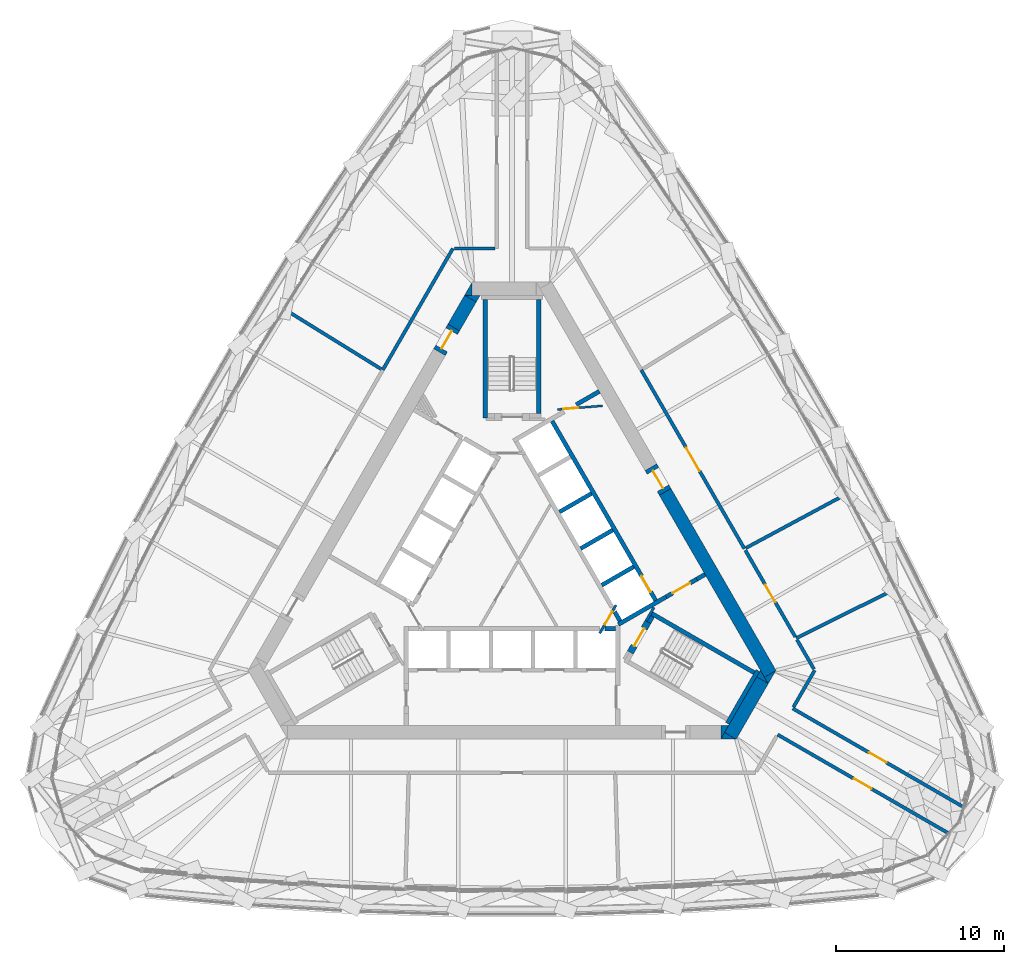
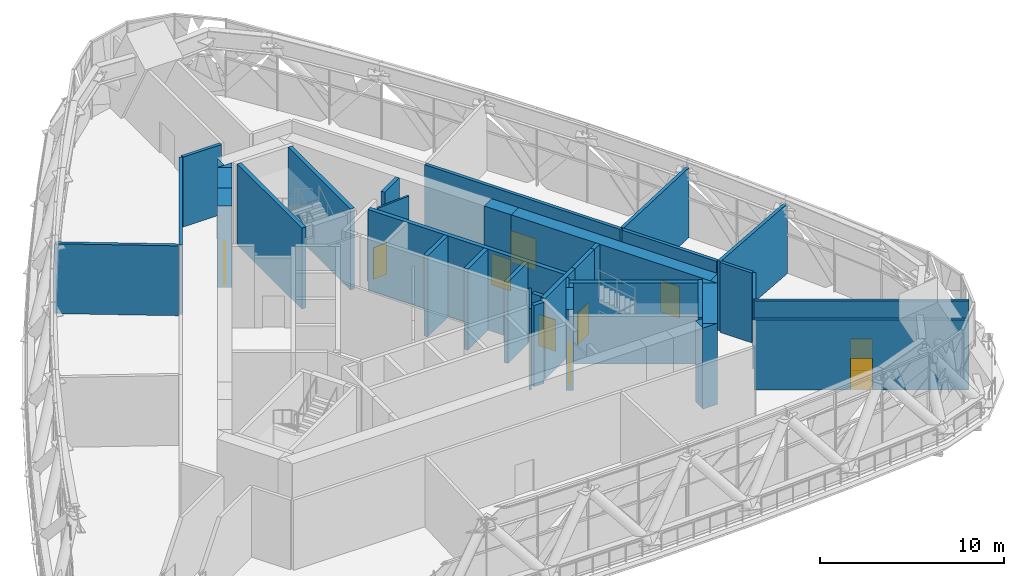
# One storey, part 24 of 35: 41 walls, 11 doors, 11 openings.
"""IFC4 building model written with IfcOpenShell, lengths in metres."""

from ifc_helpers import new_model, si_unit, direction, frame, frame_2d, origin, place, context, subcontext, project, spatial, polyline, rectangle, outline, extrude, material, layer, layer_set, type_object, element, fill, save


model = new_model("IFC4")

# Units and contexts
model_context = context("Model", 3, precision=1e-05, world=origin(), true_north=direction((0.0, 1.0)))
body_context = subcontext(model_context, "Body", "Model", "MODEL_VIEW")
ifc_project = project(units=[si_unit("LENGTHUNIT", "METRE"), si_unit("AREAUNIT", "SQUARE_METRE"), si_unit("VOLUMEUNIT", "CUBIC_METRE"), si_unit("PLANEANGLEUNIT", "RADIAN"), si_unit("MASSUNIT", "GRAM", prefix="KILO")], contexts=[model_context])

# Site, building, storey
site_placement = place(None, origin())
site = spatial("IfcSite", under=ifc_project, at=site_placement, CompositionType="ELEMENT")
building_placement = place(site_placement, origin())
building = spatial("IfcBuilding", under=site, at=building_placement, Name="Mestral Congress Tower", CompositionType="ELEMENT")
storey_placement = place(building_placement, frame((0.0, 0.0, 196.199951171875)))
storey = spatial("IfcBuildingStorey", under=building, at=storey_placement, Name="L46", CompositionType="ELEMENT", Elevation=196.199951171875)

# Wall, opening, door
ifc_material_1 = material(Name="Fire-rated board partition")
ifc_layer_1 = layer(ifc_material_1, 0.1201171875)
ifc_layer_set_1 = layer_set([ifc_layer_1], Name="Fire-rated board partition")
wall_type_1 = type_object("IfcWallType", Name="Core partition 150 door-wall 120", PredefinedType="PARTITIONING", material=ifc_layer_set_1)
wall_1_placement = place(storey_placement, frame((5.3984375, 9.418701171875, 0.0), z_axis=(0.0, 0.0, 1.0), x_axis=(-0.996653416376, -0.081743303248, 0.0)))
wall_1 = element("IfcWall", 1, at=wall_1_placement, inside=storey, type_object=wall_type_1, Name="L46 door wall", PredefinedType="PARTITIONING", context=body_context, shape_type="SweptSolid", body=[
    extrude(rectangle(XDim=2.699951171875, YDim=0.119873046875, at=frame_2d((1.35009765625, 0.0))), origin(), (0.0, 0.0, 1.0), 4.650146484375),
])
opening_1_placement = place(wall_1_placement, frame((1.449951171875, 0.0, 0.0)))
opening_1 = element("IfcOpeningElement", 2, at=opening_1_placement, cuts=wall_1, Name="Opening TD2", PredefinedType="OPENING", context=body_context, shape_type="SweptSolid", body=[
    extrude(rectangle(XDim=0.89990234375, YDim=2.10009765625, at=frame_2d((0.449951171875, 1.050048828125))), frame((0.0, 0.06982421875, 0.0), z_axis=(0.0, -1.0, 0.0), x_axis=(1.0, 0.0, 0.0)), (0.0, 0.0, 1.0), 0.139892578125),
])
ifc_material_2 = material(Name="Fire-rated steel door set", Category="steel")
door_type_1 = type_object("IfcDoorType", Name="Core door SR 900x2100", OperationType="SINGLE_SWING_LEFT", PredefinedType="DOOR", material=ifc_material_2)
door_1_placement = place(opening_1_placement, origin())
door_1 = element("IfcDoor", 3, at=door_1_placement, inside=storey, type_object=door_type_1, Name="Door TD2", OperationType="SINGLE_SWING_LEFT", OverallHeight=2.10009765625, OverallWidth=0.89990234375, PredefinedType="DOOR", context=body_context, shape_type="SweptSolid", body=[
    extrude(rectangle(XDim=0.89990234375, YDim=2.10009765625, at=frame_2d((0.449951171875, 1.050048828125))), frame((0.0, 0.02490234375, 0.0), z_axis=(0.0, -1.0, 0.0), x_axis=(1.0, 0.0, 0.0)), (0.0, 0.0, 1.0), 0.050048828125),
])
fill(opening_1, door_1)

# Walls
ifc_material_3 = material(Name="Concrete C60/75", Category="concrete")
ifc_layer_2 = layer(ifc_material_3, 0.800048828125)
ifc_layer_set_2 = layer_set([ifc_layer_2], Name="Concrete C60/75")
wall_type_2 = type_object("IfcWallType", Name="Core wall RC 800", PredefinedType="SOLIDWALL", material=ifc_layer_set_2)
wall_2_placement = place(storey_placement, frame((9.128662109375, 4.288818359375, 0.0), z_axis=(0.0, 0.0, 1.0), x_axis=(0.499995742806, -0.866027861663, 0.0)))
element("IfcWall", 4, at=wall_2_placement, inside=storey, type_object=wall_type_2, Name="L46 core wall", PredefinedType="SOLIDWALL", context=body_context, shape_type="SweptSolid", body=[
    extrude(rectangle(XDim=12.52734375, YDim=0.800048828125, at=frame_2d((6.263671875, 0.0))), origin(), (0.0, 0.0, 1.0), 5.400146484375),
])
placement = place(storey_placement, origin())
element("IfcWall", 5, at=placement, inside=storey, type_object=wall_type_2, Name="L46 core wall", PredefinedType="SOLIDWALL", context=body_context, shape_type="SweptSolid", body=[
    extrude(outline(polyline([(15.27099609375, -7.14990234375), (15.046875, -6.761962890625), (15.718994140625, -6.3740234375), (15.27099609375, -7.14990234375)])), origin(), (0.0, 0.0, 1.0), 5.400146484375),
])
wall_4_placement = place(storey_placement, frame((13.018310546875, -10.251708984375, 0.0), z_axis=(0.0, 0.0, 1.0), x_axis=(0.499984020225, 0.866034629516, 0.0)))
element("IfcWall", 6, at=wall_4_placement, inside=storey, type_object=wall_type_2, Name="L46 core wall", PredefinedType="SOLIDWALL", context=body_context, shape_type="SweptSolid", body=[
    extrude(rectangle(XDim=3.824462890625, YDim=0.800048828125, at=frame_2d((1.912109375, 0.0))), origin(), (0.0, 0.0, 1.0), 5.400146484375),
])
element("IfcWall", 7, at=placement, inside=storey, type_object=wall_type_2, Name="L46 core wall", PredefinedType="SOLIDWALL", context=body_context, shape_type="SweptSolid", body=[
    extrude(outline(polyline([(12.44189453125, -10.449951171875), (12.6708984375, -10.053466796875), (13.35791015625, -10.449951171875), (12.44189453125, -10.449951171875)])), origin(), (0.0, 0.0, 1.0), 5.400146484375),
])
element("IfcWall", 8, at=placement, inside=storey, type_object=wall_type_2, Name="L46 core wall", PredefinedType="SOLIDWALL", context=body_context, shape_type="SweptSolid", body=[
    extrude(outline(polyline([(14.80908203125, -6.35009765625), (15.257080078125, -7.1259765625), (14.5849609375, -6.738037109375), (14.80908203125, -6.35009765625)])), origin(), (0.0, 0.0, 1.0), 5.400146484375),
])
element("IfcWall", 9, at=placement, inside=storey, type_object=wall_type_2, Name="L46 core wall", PredefinedType="SOLIDWALL", context=body_context, shape_type="SweptSolid", body=[
    extrude(outline(polyline([(12.90380859375, -9.64990234375), (12.455810546875, -10.42578125), (12.455810546875, -9.64990234375), (12.90380859375, -9.64990234375)])), origin(), (0.0, 0.0, 1.0), 5.400146484375),
])
element("IfcWall", 10, at=placement, inside=storey, type_object=wall_type_2, Name="L46 core wall", PredefinedType="SOLIDWALL", context=body_context, shape_type="SweptSolid", body=[
    extrude(outline(polyline([(-2.8291015625, 16.0), (-2.381103515625, 16.77587890625), (-2.381103515625, 16.0), (-2.8291015625, 16.0)])), origin(), (0.0, 0.0, 1.0), 5.400146484375),
])
wall_9_placement = place(storey_placement, frame((-2.476806640625, 15.810302734375, 0.0), z_axis=(0.0, 0.0, 1.0), x_axis=(-0.499903161488, -0.866081306307, 0.0)))
element("IfcWall", 11, at=wall_9_placement, inside=storey, type_object=wall_type_2, Name="L46 core wall", PredefinedType="SOLIDWALL", context=body_context, shape_type="SweptSolid", body=[
    extrude(rectangle(XDim=1.98828125, YDim=0.800048828125, at=frame_2d((0.994140625, 0.0))), origin(), (0.0, 0.0, 1.0), 5.400146484375),
])
element("IfcWall", 12, at=placement, inside=storey, type_object=wall_type_2, Name="L46 core wall", PredefinedType="SOLIDWALL", context=body_context, shape_type="SweptSolid", body=[
    extrude(outline(polyline([(-1.9052734375, 16.0), (-2.12939453125, 15.612060546875), (-2.80126953125, 16.0), (-1.9052734375, 16.0)])), origin(), (0.0, 0.0, 1.0), 5.400146484375),
])

# Wall, opening, door
wall_11_placement = place(storey_placement, frame((-4.32080078125, 12.615966796875, 0.0), z_axis=(0.0, 0.0, 1.0), x_axis=(0.499892348375, 0.866087547558, 0.0)))
wall_11 = element("IfcWall", 13, at=wall_11_placement, inside=storey, type_object=wall_type_2, Name="L46 door wall", PredefinedType="SOLIDWALL", context=body_context, shape_type="SweptSolid", body=[
    extrude(rectangle(XDim=1.699951171875, YDim=0.800048828125, at=frame_2d((0.85009765625, 0.0))), origin(), (0.0, 0.0, 1.0), 5.400146484375),
])
opening_2_placement = place(wall_11_placement, frame((0.25, 0.0, 0.0)))
opening_2 = element("IfcOpeningElement", 14, at=opening_2_placement, cuts=wall_11, Name="Opening XD2", PredefinedType="OPENING", context=body_context, shape_type="SweptSolid", body=[
    extrude(rectangle(XDim=1.199951171875, YDim=2.10009765625, at=frame_2d((0.60009765625, 1.050048828125))), frame((0.0, 0.409912109375, 0.0), z_axis=(0.0, -1.0, 0.0), x_axis=(1.0, 0.0, 0.0)), (0.0, 0.0, 1.0), 0.820068359375),
])
door_type_2 = type_object("IfcDoorType", Name="Core door XD 1200x2100", OperationType="SINGLE_SWING_LEFT", PredefinedType="DOOR", material=ifc_material_2)
door_2_placement = place(opening_2_placement, origin())
door_2 = element("IfcDoor", 15, at=door_2_placement, inside=storey, type_object=door_type_2, Name="Door XD2", OperationType="SINGLE_SWING_LEFT", OverallHeight=2.10009765625, OverallWidth=1.199951171875, PredefinedType="DOOR", context=body_context, shape_type="SweptSolid", body=[
    extrude(rectangle(XDim=1.199951171875, YDim=2.10009765625, at=frame_2d((0.60009765625, 1.050048828125))), frame((0.0, 0.02490234375, 0.0), z_axis=(0.0, -1.0, 0.0), x_axis=(1.0, 0.0, 0.0)), (0.0, 0.0, 1.0), 0.050048828125),
])
fill(opening_2, door_2)

wall_12_placement = place(storey_placement, frame((8.278564453125, 5.760986328125, 0.0), z_axis=(0.0, 0.0, 1.0), x_axis=(0.500062241894, -0.865989465428, 0.0)))
wall_12 = element("IfcWall", 16, at=wall_12_placement, inside=storey, type_object=wall_type_2, Name="L46 door wall", PredefinedType="SOLIDWALL", context=body_context, shape_type="SweptSolid", body=[
    extrude(rectangle(XDim=1.699951171875, YDim=0.800048828125, at=frame_2d((0.85009765625, 0.0))), origin(), (0.0, 0.0, 1.0), 5.400146484375),
])
opening_3_placement = place(wall_12_placement, frame((0.25, 0.0, 0.0)))
opening_3 = element("IfcOpeningElement", 17, at=opening_3_placement, cuts=wall_12, Name="Opening XDL", PredefinedType="OPENING", context=body_context, shape_type="SweptSolid", body=[
    extrude(rectangle(XDim=1.199951171875, YDim=2.10009765625, at=frame_2d((0.60009765625, 1.050048828125))), frame((0.0, 0.409912109375, 0.0), z_axis=(0.0, -1.0, 0.0), x_axis=(1.0, 0.0, 0.0)), (0.0, 0.0, 1.0), 0.820068359375),
])
door_3_placement = place(opening_3_placement, origin())
door_3 = element("IfcDoor", 18, at=door_3_placement, inside=storey, type_object=door_type_2, Name="Door XDL", OperationType="SINGLE_SWING_LEFT", OverallHeight=2.10009765625, OverallWidth=1.199951171875, PredefinedType="DOOR", context=body_context, shape_type="SweptSolid", body=[
    extrude(rectangle(XDim=1.199951171875, YDim=2.10009765625, at=frame_2d((0.60009765625, 1.050048828125))), frame((0.0, 0.02490234375, 0.0), z_axis=(0.0, -1.0, 0.0), x_axis=(1.0, 0.0, 0.0)), (0.0, 0.0, 1.0), 0.050048828125),
])
fill(opening_3, door_3)

# Walls
ifc_layer_3 = layer(ifc_material_3, 0.25)
ifc_layer_set_3 = layer_set([ifc_layer_3], Name="Concrete C60/75")
wall_type_3 = type_object("IfcWallType", Name="Shaft wall RC 250", PredefinedType="SOLIDWALL", material=ifc_layer_set_3)
wall_13_placement = place(storey_placement, frame((5.538330078125, -3.875, 0.0), z_axis=(0.0, 0.0, 1.0), x_axis=(1.0, 0.0, 0.0)))
element("IfcWall", 19, at=wall_13_placement, inside=storey, type_object=wall_type_3, Name="L46 core wall", PredefinedType="SOLIDWALL", context=body_context, shape_type="SweptSolid", body=[
    extrude(rectangle(XDim=0.63671875, YDim=0.25, at=frame_2d((0.318359375, 0.0))), origin(), (0.0, 0.0, 1.0), 5.400146484375),
])
wall_14_placement = place(storey_placement, frame((9.190185546875, -1.96875, 0.0), z_axis=(0.0, 0.0, 1.0), x_axis=(-0.866057109641, -0.499945079824, 0.0)))
element("IfcWall", 20, at=wall_14_placement, inside=storey, type_object=wall_type_3, Name="L46 core wall", PredefinedType="SOLIDWALL", context=body_context, shape_type="SweptSolid", body=[
    extrude(rectangle(XDim=3.290771484375, YDim=0.25, at=frame_2d((1.6455078125, 0.0))), origin(), (0.0, 0.0, 1.0), 5.400146484375),
])
wall_15_placement = place(storey_placement, frame((6.1298828125, -2.867431640625, 0.0), z_axis=(0.0, 0.0, 1.0), x_axis=(0.500160776593, -0.865932559475, 0.0)))
element("IfcWall", 21, at=wall_15_placement, inside=storey, type_object=wall_type_3, Name="L46 core wall", PredefinedType="SOLIDWALL", context=body_context, shape_type="SweptSolid", body=[
    extrude(rectangle(XDim=0.626708984375, YDim=0.25, at=frame_2d((0.3134765625, 0.0))), origin(), (0.0, 0.0, 1.0), 5.400146484375),
])
wall_16_placement = place(storey_placement, frame((11.507080078125, -0.631103515625, 0.0), z_axis=(0.0, 0.0, 1.0), x_axis=(-0.866093731455, -0.499881634324, 0.0)))
element("IfcWall", 22, at=wall_16_placement, inside=storey, type_object=wall_type_3, Name="L46 core wall", PredefinedType="SOLIDWALL", context=body_context, shape_type="SweptSolid", body=[
    extrude(rectangle(XDim=0.575439453125, YDim=0.25, at=frame_2d((0.28759765625, 0.0))), origin(), (0.0, 0.0, 1.0), 5.400146484375),
])
for number, where, z_axis, x_axis, name in (
    (23, (2.833984375, 3.091064453125, 0.0), (0.0, 0.0, 1.0), (0.866008176907, 0.50002983664, 0.0), "L46 core wall"),
    (24, (4.093994140625, 0.90869140625, 0.0), (0.0, 0.0, 1.0), (0.866008176907, 0.50002983664, 0.0), "L46 core wall"),
    (25, (5.35400390625, -1.273681640625, 0.0), (0.0, 0.0, 1.0), (0.866008176907, 0.50002983664, 0.0), "L46 core wall"),
):
    element("IfcWall", number, at=place(storey_placement, frame(where, z_axis=z_axis, x_axis=x_axis)), inside=storey, type_object=wall_type_3, Name=name, PredefinedType="SOLIDWALL", context=body_context, shape_type="SweptSolid", body=[
        extrude(rectangle(XDim=2.199951171875, YDim=0.25, at=frame_2d((1.10009765625, 0.0))), origin(), (0.0, 0.0, 1.0), 5.400146484375),
    ])
wall_17_placement = place(storey_placement, frame((3.82958984375, 9.485595703125, 0.0), z_axis=(0.0, 0.0, 1.0), x_axis=(0.865986202621, 0.500067892261, 0.0)))
element("IfcWall", 26, at=wall_17_placement, inside=storey, type_object=wall_type_3, Name="L46 core wall", PredefinedType="SOLIDWALL", context=body_context, shape_type="SweptSolid", body=[
    extrude(rectangle(XDim=1.590576171875, YDim=0.25, at=frame_2d((0.79541015625, 0.0))), origin(), (0.0, 0.0, 1.0), 5.400146484375),
])

# Wall, opening, door
wall_18_placement = place(storey_placement, frame((8.565185546875, -2.185302734375, 0.0), z_axis=(0.0, 0.0, 1.0), x_axis=(-0.499997954832, 0.866026584559, 0.0)))
wall_18 = element("IfcWall", 27, at=wall_18_placement, inside=storey, type_object=wall_type_3, Name="L46 door wall", PredefinedType="SOLIDWALL", context=body_context, shape_type="SweptSolid", body=[
    extrude(rectangle(XDim=12.35009765625, YDim=0.25, at=frame_2d((6.175048828125, 0.0))), origin(), (0.0, 0.0, 1.0), 5.400146484375),
])
opening_4_placement = place(wall_18_placement, frame((0.5849609375, 0.0, 0.0)))
opening_4 = element("IfcOpeningElement", 28, at=opening_4_placement, cuts=wall_18, Name="Opening LD-NEB1", PredefinedType="OPENING", context=body_context, shape_type="SweptSolid", body=[
    extrude(rectangle(XDim=1.10009765625, YDim=2.10009765625, at=frame_2d((0.550048828125, 1.050048828125))), frame((0.0, 0.135009765625, 0.0), z_axis=(0.0, -1.0, 0.0), x_axis=(1.0, 0.0, 0.0)), (0.0, 0.0, 1.0), 0.27001953125),
])
door_type_3 = type_object("IfcDoorType", Name="Core door LD 1100x2100", OperationType="DOUBLE_DOOR_SLIDING", PredefinedType="DOOR", material=ifc_material_2)
door_4_placement = place(opening_4_placement, origin())
door_4 = element("IfcDoor", 29, at=door_4_placement, inside=storey, type_object=door_type_3, Name="Door LD-NEB1", OperationType="DOUBLE_DOOR_SLIDING", OverallHeight=2.10009765625, OverallWidth=1.10009765625, PredefinedType="DOOR", context=body_context, shape_type="SweptSolid", body=[
    extrude(rectangle(XDim=1.10009765625, YDim=2.10009765625, at=frame_2d((0.550048828125, 1.050048828125))), frame((0.0, 0.02490234375, 0.0), z_axis=(0.0, -1.0, 0.0), x_axis=(1.0, 0.0, 0.0)), (0.0, 0.0, 1.0), 0.050048828125),
])
fill(opening_4, door_4)

wall_19_placement = place(storey_placement, frame((11.0087890625, -0.918701171875, 0.0), z_axis=(0.0, 0.0, 1.0), x_axis=(-0.866059744384, -0.49994051562, 0.0)))
wall_19 = element("IfcWall", 30, at=wall_19_placement, inside=storey, type_object=wall_type_3, Name="L46 door wall", PredefinedType="SOLIDWALL", context=body_context, shape_type="SweptSolid", body=[
    extrude(rectangle(XDim=2.099853515625, YDim=0.25, at=frame_2d((1.0498046875, 0.0))), origin(), (0.0, 0.0, 1.0), 5.400146484375),
])
opening_5_placement = place(wall_19_placement, frame((0.449951171875, 0.0, 0.0)))
opening_5 = element("IfcOpeningElement", 31, at=opening_5_placement, cuts=wall_19, Name="Opening LB1-PX10", PredefinedType="OPENING", context=body_context, shape_type="SweptSolid", body=[
    extrude(rectangle(XDim=1.199951171875, YDim=2.10009765625, at=frame_2d((0.60009765625, 1.050048828125))), frame((0.0, 0.135009765625, 0.0), z_axis=(0.0, -1.0, 0.0), x_axis=(1.0, 0.0, 0.0)), (0.0, 0.0, 1.0), 0.27001953125),
])
door_type_4 = type_object("IfcDoorType", Name="Core door LB 1200x2100", OperationType="SINGLE_SWING_LEFT", PredefinedType="DOOR", material=ifc_material_2)
door_5_placement = place(opening_5_placement, origin())
door_5 = element("IfcDoor", 32, at=door_5_placement, inside=storey, type_object=door_type_4, Name="Door LB1-PX10", OperationType="SINGLE_SWING_LEFT", OverallHeight=2.10009765625, OverallWidth=1.199951171875, PredefinedType="DOOR", context=body_context, shape_type="SweptSolid", body=[
    extrude(rectangle(XDim=1.199951171875, YDim=2.10009765625, at=frame_2d((0.60009765625, 1.050048828125))), frame((0.0, 0.02490234375, 0.0), z_axis=(0.0, -1.0, 0.0), x_axis=(1.0, 0.0, 0.0)), (0.0, 0.0, 1.0), 0.050048828125),
])
fill(opening_5, door_5)

# Wall
ifc_layer_4 = layer(ifc_material_3, 0.14990234375)
ifc_layer_set_4 = layer_set([ifc_layer_4], Name="Concrete C60/75")
wall_type_4 = type_object("IfcWallType", Name="Shaft wall RC 250 door-wall 150", PredefinedType="SOLIDWALL", material=ifc_layer_set_4)
wall_20_placement = place(storey_placement, frame((8.459228515625, -2.59912109375, 0.0), z_axis=(0.0, 0.0, 1.0), x_axis=(-0.500041054325, -0.866001699761, 0.0)))
element("IfcWall", 33, at=wall_20_placement, inside=storey, type_object=wall_type_4, Name="L46 core wall", PredefinedType="PARTITIONING", context=body_context, shape_type="SweptSolid", body=[
    extrude(rectangle(XDim=0.9287109375, YDim=0.14990234375, at=frame_2d((0.46435546875, 0.0))), origin(), (0.0, 0.0, 1.0), 5.400146484375),
])

# Wall, opening, door
wall_21_placement = place(storey_placement, frame((6.203369140625, -2.45556640625, 0.0), z_axis=(0.0, 0.0, 1.0), x_axis=(-0.500043961785, -0.866000020948, 0.0)))
wall_21 = element("IfcWall", 34, at=wall_21_placement, inside=storey, type_object=wall_type_4, Name="L46 door wall", PredefinedType="PARTITIONING", context=body_context, shape_type="SweptSolid", body=[
    extrude(rectangle(XDim=1.949951171875, YDim=0.14990234375, at=frame_2d((0.97509765625, 0.0))), origin(), (0.0, 0.0, 1.0), 5.400146484375),
])
opening_6_placement = place(wall_21_placement, frame((0.449951171875, 0.0, 0.0)))
opening_6 = element("IfcOpeningElement", 35, at=opening_6_placement, cuts=wall_21, Name="Opening CD1-HUB0", PredefinedType="OPENING", context=body_context, shape_type="SweptSolid", body=[
    extrude(rectangle(XDim=0.89990234375, YDim=2.10009765625, at=frame_2d((0.449951171875, 1.050048828125))), frame((0.0, 0.0849609375, 0.0), z_axis=(0.0, -1.0, 0.0), x_axis=(1.0, 0.0, 0.0)), (0.0, 0.0, 1.0), 0.169921875),
])
door_type_5 = type_object("IfcDoorType", Name="Core door CD 900x2100", OperationType="SINGLE_SWING_LEFT", PredefinedType="DOOR", material=ifc_material_2)
door_6_placement = place(opening_6_placement, origin())
door_6 = element("IfcDoor", 36, at=door_6_placement, inside=storey, type_object=door_type_5, Name="Door CD1-HUB0", OperationType="SINGLE_SWING_LEFT", OverallHeight=2.10009765625, OverallWidth=0.89990234375, PredefinedType="DOOR", context=body_context, shape_type="SweptSolid", body=[
    extrude(rectangle(XDim=0.89990234375, YDim=2.10009765625, at=frame_2d((0.449951171875, 1.050048828125))), frame((0.0, 0.02490234375, 0.0), z_axis=(0.0, -1.0, 0.0), x_axis=(1.0, 0.0, 0.0)), (0.0, 0.0, 1.0), 0.050048828125),
])
fill(opening_6, door_6)

ifc_material_4 = material(Name="Concrete block wall, plastered", Category="concrete")
ifc_layer_5 = layer(ifc_material_4, 0.199951171875)
ifc_layer_set_5 = layer_set([ifc_layer_5], Name="Concrete block wall, plastered")
wall_type_5 = type_object("IfcWallType", Name="Special partition 200 EI 120", PredefinedType="PARTITIONING", material=ifc_layer_set_5)
wall_22_placement = place(storey_placement, frame((13.858154296875, 0.89697265625, 0.0), z_axis=(0.0, 0.0, 1.0), x_axis=(-0.500005845305, 0.86602202897, 0.0)))
wall_22 = element("IfcWall", 37, at=wall_22_placement, inside=storey, type_object=wall_type_5, Name="Partition", PredefinedType="PARTITIONING", context=body_context, shape_type="SweptSolid", body=[
    extrude(rectangle(XDim=12.304443359375, YDim=0.199951171875, at=frame_2d((6.15234375, 0.0))), origin(), (0.0, 0.0, 1.0), 4.650146484375),
])
opening_7_placement = place(wall_22_placement, frame((5.352294921875, 0.0, 0.0)))
opening_7 = element("IfcOpeningElement", 38, at=opening_7_placement, cuts=wall_22, Name="Opening S46-007", PredefinedType="OPENING", context=body_context, shape_type="SweptSolid", body=[
    extrude(rectangle(XDim=1.60009765625, YDim=2.10009765625, at=frame_2d((0.800048828125, 1.050048828125))), frame((0.0, 0.10986328125, 0.0), z_axis=(0.0, -1.0, 0.0), x_axis=(1.0, 0.0, 0.0)), (0.0, 0.0, 1.0), 0.219970703125),
])
door_type_6 = type_object("IfcDoorType", Name="Plant room double door 1600x2100", OperationType="DOUBLE_DOOR_SINGLE_SWING", PredefinedType="DOOR", material=ifc_material_2)
door_7_placement = place(opening_7_placement, origin())
door_7 = element("IfcDoor", 39, at=door_7_placement, inside=storey, type_object=door_type_6, Name="Door S46-007", OperationType="DOUBLE_DOOR_SINGLE_SWING", OverallHeight=2.10009765625, OverallWidth=1.60009765625, PredefinedType="DOOR", context=body_context, shape_type="SweptSolid", body=[
    extrude(rectangle(XDim=1.60009765625, YDim=2.10009765625, at=frame_2d((0.800048828125, 1.050048828125))), frame((0.0, 0.02490234375, 0.0), z_axis=(0.0, -1.0, 0.0), x_axis=(1.0, 0.0, 0.0)), (0.0, 0.0, 1.0), 0.050048828125),
])
fill(opening_7, door_7)

wall_23_placement = place(storey_placement, frame((26.869140625, -14.4736328125, 0.0), z_axis=(0.0, 0.0, 1.0), x_axis=(-0.866029647556, 0.4999926495, 0.0)))
wall_23 = element("IfcWall", 40, at=wall_23_placement, inside=storey, type_object=wall_type_5, Name="Partition", PredefinedType="PARTITIONING", context=body_context, shape_type="SweptSolid", body=[
    extrude(rectangle(XDim=11.706298828125, YDim=0.199951171875, at=frame_2d((5.85302734375, 0.0))), origin(), (0.0, 0.0, 1.0), 4.650146484375),
])
opening_8_placement = place(wall_23_placement, frame((5.253173828125, 0.0, 0.0)))
opening_8 = element("IfcOpeningElement", 41, at=opening_8_placement, cuts=wall_23, Name="Opening S46-005", PredefinedType="OPENING", context=body_context, shape_type="SweptSolid", body=[
    extrude(rectangle(XDim=1.199951171875, YDim=2.10009765625, at=frame_2d((0.60009765625, 1.050048828125))), frame((0.0, 0.10986328125, 0.0), z_axis=(0.0, -1.0, 0.0), x_axis=(1.0, 0.0, 0.0)), (0.0, 0.0, 1.0), 0.219970703125),
])
door_type_7 = type_object("IfcDoorType", Name="Plant room door 1200x2100", OperationType="SINGLE_SWING_LEFT", PredefinedType="DOOR", material=ifc_material_2)
door_8_placement = place(opening_8_placement, origin())
door_8 = element("IfcDoor", 42, at=door_8_placement, inside=storey, type_object=door_type_7, Name="Door S46-005", OperationType="SINGLE_SWING_RIGHT", OverallHeight=2.10009765625, OverallWidth=1.199951171875, PredefinedType="DOOR", context=body_context, shape_type="SweptSolid", body=[
    extrude(rectangle(XDim=1.199951171875, YDim=2.10009765625, at=frame_2d((0.60009765625, 1.050048828125))), frame((0.0, 0.02490234375, 0.0), z_axis=(0.0, -1.0, 0.0), x_axis=(1.0, 0.0, 0.0)), (0.0, 0.0, 1.0), 0.050048828125),
])
fill(opening_8, door_8)

wall_24_placement = place(storey_placement, frame((15.831298828125, -10.179443359375, 0.0), z_axis=(0.0, 0.0, 1.0), x_axis=(0.866024433663, -0.500001680296, 0.0)))
wall_24 = element("IfcWall", 43, at=wall_24_placement, inside=storey, type_object=wall_type_5, Name="Partition", PredefinedType="PARTITIONING", context=body_context, shape_type="SweptSolid", body=[
    extrude(rectangle(XDim=11.7060546875, YDim=0.199951171875, at=frame_2d((5.85302734375, 0.0))), origin(), (0.0, 0.0, 1.0), 4.650146484375),
])
opening_9_placement = place(wall_24_placement, frame((5.253173828125, 0.0, 0.0)))
opening_9 = element("IfcOpeningElement", 44, at=opening_9_placement, cuts=wall_24, Name="Opening S46-004", PredefinedType="OPENING", context=body_context, shape_type="SweptSolid", body=[
    extrude(rectangle(XDim=1.199951171875, YDim=2.10009765625, at=frame_2d((0.60009765625, 1.050048828125))), frame((0.0, 0.10986328125, 0.0), z_axis=(0.0, -1.0, 0.0), x_axis=(1.0, 0.0, 0.0)), (0.0, 0.0, 1.0), 0.219970703125),
])
door_type_8 = type_object("IfcDoorType", Name="Refuge door 1200x2100", OperationType="SINGLE_SWING_LEFT", PredefinedType="DOOR", material=ifc_material_2)
door_9_placement = place(opening_9_placement, origin())
door_9 = element("IfcDoor", 45, at=door_9_placement, inside=storey, type_object=door_type_8, Name="Door S46-004", OperationType="SINGLE_SWING_RIGHT", OverallHeight=2.10009765625, OverallWidth=1.199951171875, PredefinedType="DOOR", context=body_context, shape_type="SweptSolid", body=[
    extrude(rectangle(XDim=1.199951171875, YDim=2.10009765625, at=frame_2d((0.60009765625, 1.050048828125))), frame((0.0, 0.02490234375, 0.0), z_axis=(0.0, -1.0, 0.0), x_axis=(1.0, 0.0, 0.0)), (0.0, 0.0, 1.0), 0.050048828125),
])
fill(opening_9, door_9)

# Walls
wall_25_placement = place(storey_placement, frame((-7.701171875, 11.561279296875, 0.0), z_axis=(0.0, 0.0, 1.0), x_axis=(0.500012366307, 0.866018263976, 0.0)))
element("IfcWall", 46, at=wall_25_placement, inside=storey, type_object=wall_type_5, Name="Partition", PredefinedType="PARTITIONING", context=body_context, shape_type="SweptSolid", body=[
    extrude(rectangle(XDim=8.358642578125, YDim=0.199951171875, at=frame_2d((4.17919921875, 0.0))), origin(), (0.0, 0.0, 1.0), 4.650146484375),
])
wall_26_placement = place(storey_placement, frame((-7.799560546875, 11.61083984375, 0.0), z_axis=(0.0, 0.0, 1.0), x_axis=(-0.850373744728, 0.526179146562, 0.0)))
element("IfcWall", 47, at=wall_26_placement, inside=storey, type_object=wall_type_5, Name="Partition", PredefinedType="PARTITIONING", context=body_context, shape_type="SweptSolid", body=[
    extrude(rectangle(XDim=6.754150390625, YDim=0.199951171875, at=frame_2d((3.376953125, 0.0))), origin(), (0.0, 0.0, 1.0), 4.650146484375),
])
wall_27_placement = place(storey_placement, frame((13.9462890625, 0.9443359375, 0.0), z_axis=(0.0, 0.0, 1.0), x_axis=(0.880872932805, 0.473352803152, 0.0)))
element("IfcWall", 48, at=wall_27_placement, inside=storey, type_object=wall_type_5, Name="Partition", PredefinedType="PARTITIONING", context=body_context, shape_type="SweptSolid", body=[
    extrude(rectangle(XDim=6.764404296875, YDim=0.199951171875, at=frame_2d((3.38232421875, 0.0))), origin(), (0.0, 0.0, 1.0), 4.650146484375),
])
wall_28_placement = place(storey_placement, frame((16.93994140625, -4.440673828125, 0.0), z_axis=(0.0, 0.0, 1.0), x_axis=(0.894923674163, 0.446219248153, 0.0)))
element("IfcWall", 49, at=wall_28_placement, inside=storey, type_object=wall_type_5, Name="Partition", PredefinedType="PARTITIONING", context=body_context, shape_type="SweptSolid", body=[
    extrude(rectangle(XDim=6.58203125, YDim=0.199951171875, at=frame_2d((3.291015625, 0.0))), origin(), (0.0, 0.0, 1.0), 4.650146484375),
])

# Wall, opening, door
wall_29_placement = place(storey_placement, frame((16.889892578125, -4.354248046875, 0.0), z_axis=(0.0, 0.0, 1.0), x_axis=(-0.500004760619, 0.866022655223, 0.0)))
wall_29 = element("IfcWall", 50, at=wall_29_placement, inside=storey, type_object=wall_type_5, Name="Partition", PredefinedType="PARTITIONING", context=body_context, shape_type="SweptSolid", body=[
    extrude(rectangle(XDim=5.9638671875, YDim=0.199951171875, at=frame_2d((2.98193359375, 0.0))), origin(), (0.0, 0.0, 1.0), 4.650146484375),
])
opening_10_placement = place(wall_29_placement, frame((2.382080078125, 0.0, 0.0)))
opening_10 = element("IfcOpeningElement", 51, at=opening_10_placement, cuts=wall_29, Name="Opening S46-006", PredefinedType="OPENING", context=body_context, shape_type="SweptSolid", body=[
    extrude(rectangle(XDim=1.199951171875, YDim=2.10009765625, at=frame_2d((0.60009765625, 1.050048828125))), frame((0.0, 0.10986328125, 0.0), z_axis=(0.0, -1.0, 0.0), x_axis=(1.0, 0.0, 0.0)), (0.0, 0.0, 1.0), 0.219970703125),
])
door_10_placement = place(opening_10_placement, origin())
door_10 = element("IfcDoor", 52, at=door_10_placement, inside=storey, type_object=door_type_7, Name="Door S46-006", OperationType="SINGLE_SWING_RIGHT", OverallHeight=2.10009765625, OverallWidth=1.199951171875, PredefinedType="DOOR", context=body_context, shape_type="SweptSolid", body=[
    extrude(rectangle(XDim=1.199951171875, YDim=2.10009765625, at=frame_2d((0.60009765625, 1.050048828125))), frame((0.0, 0.02490234375, 0.0), z_axis=(0.0, -1.0, 0.0), x_axis=(1.0, 0.0, 0.0)), (0.0, 0.0, 1.0), 0.050048828125),
])
fill(opening_10, door_10)

# Walls
wall_30_placement = place(storey_placement, frame((18.042236328125, -6.35009765625, 0.0), z_axis=(0.0, 0.0, 1.0), x_axis=(-0.500043699366, -0.866000172474, 0.0)))
element("IfcWall", 53, at=wall_30_placement, inside=storey, type_object=wall_type_5, Name="Partition", PredefinedType="PARTITIONING", context=body_context, shape_type="SweptSolid", body=[
    extrude(rectangle(XDim=2.521728515625, YDim=0.199951171875, at=frame_2d((1.2607421875, 0.0))), origin(), (0.0, 0.0, 1.0), 4.650146484375),
])
wall_31_placement = place(storey_placement, frame((-3.431884765625, 18.800048828125, 0.0), z_axis=(0.0, 0.0, 1.0), x_axis=(1.0, 0.0, 0.0)))
element("IfcWall", 54, at=wall_31_placement, inside=storey, type_object=wall_type_5, Name="Partition", PredefinedType="PARTITIONING", context=body_context, shape_type="SweptSolid", body=[
    extrude(rectangle(XDim=2.431884765625, YDim=0.199951171875, at=frame_2d((1.2158203125, 0.0))), origin(), (0.0, 0.0, 1.0), 4.650146484375),
])
wall_32_placement = place(storey_placement, frame((16.994873046875, -4.535888671875, 0.0), z_axis=(0.0, 0.0, 1.0), x_axis=(0.499989486807, -0.866031473494, 0.0)))
element("IfcWall", 55, at=wall_32_placement, inside=storey, type_object=wall_type_5, Name="Partition", PredefinedType="PARTITIONING", context=body_context, shape_type="SweptSolid", body=[
    extrude(rectangle(XDim=2.0048828125, YDim=0.199951171875, at=frame_2d((1.00244140625, 0.0))), origin(), (0.0, 0.0, 1.0), 4.650146484375),
])
ifc_layer_6 = layer(ifc_material_3, 0.25)
ifc_layer_set_6 = layer_set([ifc_layer_6], Name="Concrete C60/75")
wall_type_6 = type_object("IfcWallType", Name="Stair wall RC 250", PredefinedType="SOLIDWALL", material=ifc_layer_set_6)
wall_33_placement = place(storey_placement, frame((12.839599609375, -9.510986328125, 0.0), z_axis=(0.0, 0.0, 1.0), x_axis=(0.499997733992, 0.866026712061, 0.0)))
element("IfcWall", 56, at=wall_33_placement, inside=storey, type_object=wall_type_6, Name="L46 core wall", PredefinedType="SOLIDWALL", context=body_context, shape_type="SweptSolid", body=[
    extrude(rectangle(XDim=3.6337890625, YDim=0.25, at=frame_2d((1.81689453125, 0.0))), origin(), (0.0, 0.0, 1.0), 5.400146484375),
])
wall_34_placement = place(storey_placement, frame((8.33447265625, -2.96435546875, 0.0), z_axis=(0.0, 0.0, 1.0), x_axis=(0.866016039709, -0.500016218704, 0.0)))
element("IfcWall", 57, at=wall_34_placement, inside=storey, type_object=wall_type_6, Name="L46 core wall", PredefinedType="SOLIDWALL", context=body_context, shape_type="SweptSolid", body=[
    extrude(rectangle(XDim=7.050048828125, YDim=0.25, at=frame_2d((3.52490234375, 0.0))), origin(), (0.0, 0.0, 1.0), 5.400146484375),
])
wall_35_placement = place(storey_placement, frame((8.167724609375, -3.503173828125, 0.0), z_axis=(0.0, 0.0, 1.0), x_axis=(0.49972245349, 0.866185586049, 0.0)))
element("IfcWall", 58, at=wall_35_placement, inside=storey, type_object=wall_type_6, Name="L46 core wall", PredefinedType="SOLIDWALL", context=body_context, shape_type="SweptSolid", body=[
    extrude(rectangle(XDim=0.425048828125, YDim=0.25, at=frame_2d((0.21240234375, 0.0))), origin(), (0.0, 0.0, 1.0), 5.400146484375),
])
wall_36_placement = place(storey_placement, frame((1.60009765625, 8.949951171875, 0.0), z_axis=(0.0, 0.0, 1.0), x_axis=(0.0, 1.0, 0.0)))
element("IfcWall", 59, at=wall_36_placement, inside=storey, type_object=wall_type_6, Name="L46 core wall", PredefinedType="SOLIDWALL", context=body_context, shape_type="SweptSolid", body=[
    extrude(rectangle(XDim=6.800048828125, YDim=0.25, at=frame_2d((3.39990234375, 0.0))), origin(), (0.0, 0.0, 1.0), 5.400146484375),
])
wall_37_placement = place(storey_placement, frame((-1.60009765625, 8.699951171875, 0.0), z_axis=(0.0, 0.0, 1.0), x_axis=(0.0, 1.0, 0.0)))
element("IfcWall", 60, at=wall_37_placement, inside=storey, type_object=wall_type_6, Name="L46 core wall", PredefinedType="SOLIDWALL", context=body_context, shape_type="SweptSolid", body=[
    extrude(rectangle(XDim=7.050048828125, YDim=0.25, at=frame_2d((3.52490234375, 0.0))), origin(), (0.0, 0.0, 1.0), 5.400146484375),
])

# Wall, opening, door
ifc_layer_7 = layer(ifc_material_3, 0.39990234375)
ifc_layer_set_7 = layer_set([ifc_layer_7], Name="Concrete C60/75")
wall_type_7 = type_object("IfcWallType", Name="Stair wall RC 250 door-wall 400", PredefinedType="SOLIDWALL", material=ifc_layer_set_7)
wall_38_placement = place(storey_placement, frame((7.052734375, -5.2841796875, 0.0), z_axis=(0.0, 0.0, 1.0), x_axis=(0.500078061341, 0.865980330357, 0.0)))
wall_38 = element("IfcWall", 61, at=wall_38_placement, inside=storey, type_object=wall_type_7, Name="L46 door wall", PredefinedType="SOLIDWALL", context=body_context, shape_type="SweptSolid", body=[
    extrude(rectangle(XDim=2.099853515625, YDim=0.39990234375, at=frame_2d((1.0498046875, 0.0))), origin(), (0.0, 0.0, 1.0), 5.400146484375),
])
opening_11_placement = place(wall_38_placement, frame((0.449951171875, 0.0, 0.0)))
opening_11 = element("IfcOpeningElement", 62, at=opening_11_placement, cuts=wall_38, Name="Opening ST-D1", PredefinedType="OPENING", context=body_context, shape_type="SweptSolid", body=[
    extrude(rectangle(XDim=1.199951171875, YDim=2.10009765625, at=frame_2d((0.60009765625, 1.050048828125))), frame((0.0, 0.2099609375, 0.0), z_axis=(0.0, -1.0, 0.0), x_axis=(1.0, 0.0, 0.0)), (0.0, 0.0, 1.0), 0.419921875),
])
door_type_9 = type_object("IfcDoorType", Name="Core door ST 1200x2100", OperationType="SINGLE_SWING_LEFT", PredefinedType="DOOR", material=ifc_material_2)
door_11_placement = place(opening_11_placement, origin())
door_11 = element("IfcDoor", 63, at=door_11_placement, inside=storey, type_object=door_type_9, Name="Door ST-D1", OperationType="SINGLE_SWING_LEFT", OverallHeight=2.10009765625, OverallWidth=1.199951171875, PredefinedType="DOOR", context=body_context, shape_type="SweptSolid", body=[
    extrude(rectangle(XDim=1.199951171875, YDim=2.10009765625, at=frame_2d((0.60009765625, 1.050048828125))), frame((0.0, 0.02490234375, 0.0), z_axis=(0.0, -1.0, 0.0), x_axis=(1.0, 0.0, 0.0)), (0.0, 0.0, 1.0), 0.050048828125),
])
fill(opening_11, door_11)

save(model, "model.ifc")
